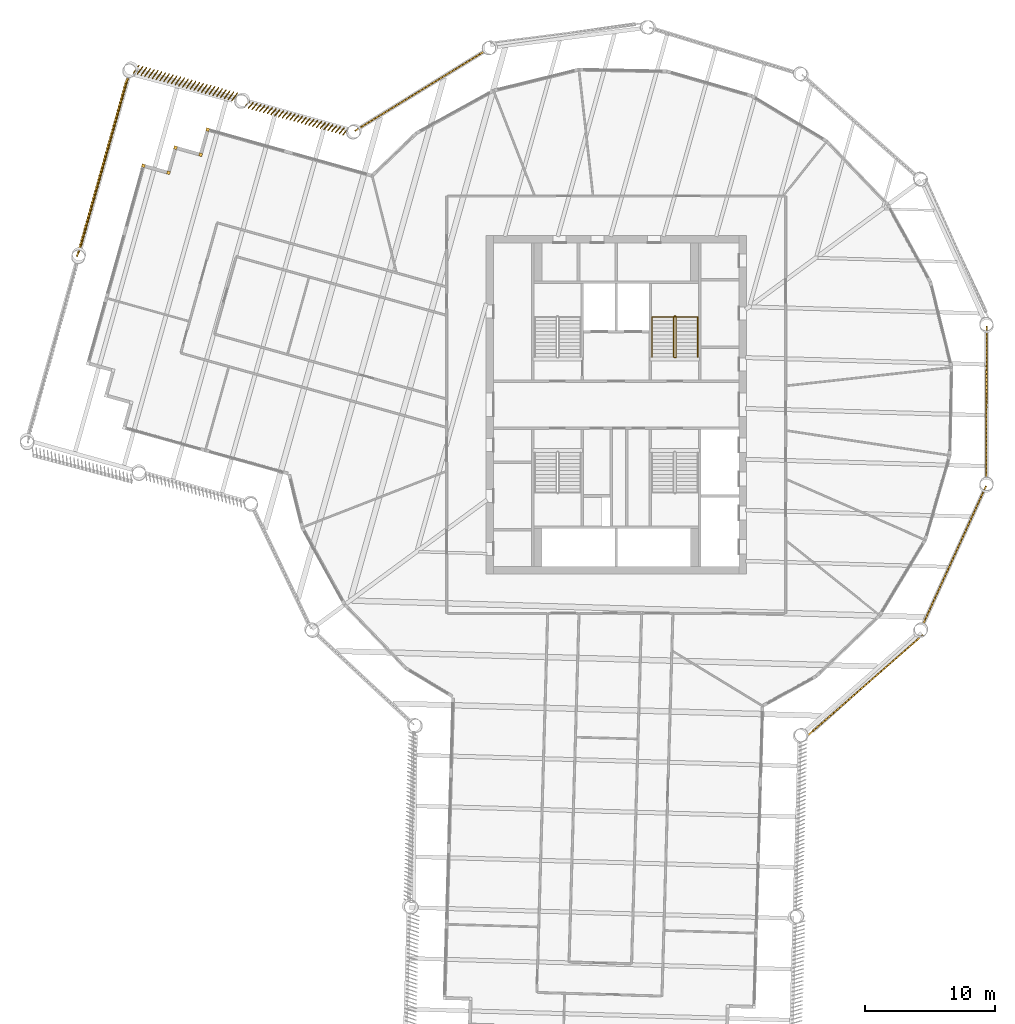
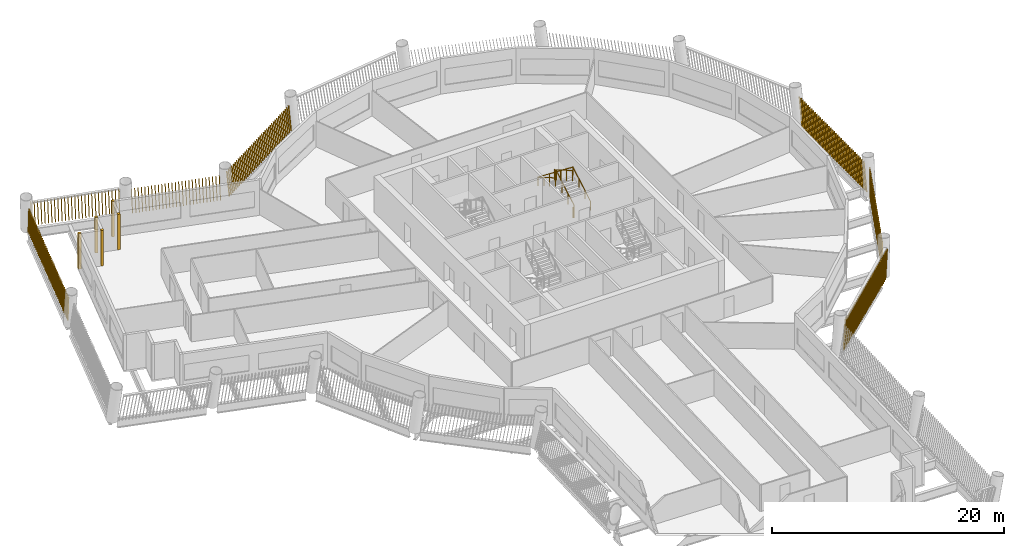
# One storey, part 13 of 15: 12 shading devices, 2 railings.
"""IFC4 building model written with IfcOpenShell, lengths in metres."""

from ifc_helpers import new_model, si_unit, direction, frame, frame_2d, origin, origin_2d, place, context, subcontext, project, spatial, rectangle, circle, composite_profile, extrude, material, type_object, element, save


model = new_model("IFC4")

# Units and contexts
model_context = context("Model", 3, precision=1e-05, world=origin(), true_north=direction((0.0, 1.0)))
body_context = subcontext(model_context, "Body", "Model", "MODEL_VIEW")
ifc_project = project(units=[si_unit("LENGTHUNIT", "METRE"), si_unit("AREAUNIT", "SQUARE_METRE"), si_unit("VOLUMEUNIT", "CUBIC_METRE"), si_unit("PLANEANGLEUNIT", "RADIAN"), si_unit("MASSUNIT", "GRAM", prefix="KILO")], contexts=[model_context])

# Site, building, storey
site_placement = place(None, origin())
site = spatial("IfcSite", under=ifc_project, at=site_placement, CompositionType="ELEMENT")
building_placement = place(site_placement, origin())
building = spatial("IfcBuilding", under=site, at=building_placement, Name="Tarsis Ring Headquarters", CompositionType="ELEMENT")
storey_placement = place(building_placement, frame((0.0, 0.0, 219.89990234375)))
storey = spatial("IfcBuildingStorey", under=building, at=storey_placement, Name="L51", CompositionType="ELEMENT", Elevation=219.89990234375)

# Railings
ifc_material_1 = material(Name="Steel S355", Category="steel")
railing_type_1 = type_object("IfcRailingType", Name="Core stair guard 1100", PredefinedType="GUARDRAIL", material=ifc_material_1)
railing_1_placement = place(storey_placement, frame((4.4599609375, 3.610107421875, 0.0)))
element("IfcRailing", 1, at=railing_1_placement, inside=storey, type_object=railing_type_1, Name="L51 ST2 stair guard 1", PredefinedType="GUARDRAIL", context=body_context, shape_type="SweptSolid", body=[
    extrude(circle(Radius=0.02392578125, at=origin_2d()), frame((0.0, 0.0, 1.076171875), z_axis=(1.0, 0.0, 0.0), x_axis=(0.0, 1.0, 0.0)), (0.0, 0.0, 1.0), 0.080078125),
    extrude(circle(Radius=0.02392578125, at=origin_2d()), frame((0.080078125, 0.0, 1.076171875), z_axis=(0.282336740067, 0.280959487676, 0.917250092119), x_axis=(-0.705375805398, 0.708833529934, 0.0)), (0.0, 0.0, 1.0), 0.17724609375),
    extrude(circle(Radius=0.02392578125, at=origin_2d()), frame((0.130126953125, 0.0498046875, 1.23876953125), z_axis=(0.0, 0.864890721111, 0.501960198159), x_axis=(-1.0, 0.0, 0.0)), (0.0, 0.0, 1.0), 3.561279296875),
    extrude(circle(Radius=0.02392578125, at=origin_2d()), frame((0.130126953125, 3.1298828125, 3.0263671875), z_axis=(-0.707106781187, 0.707106781187, 0.0), x_axis=(-0.707106781187, -0.707106781187, 0.0)), (0.0, 0.0, 1.0), 0.07080078125),
    extrude(circle(Radius=0.02392578125, at=origin_2d()), frame((0.080078125, 3.179931640625, 3.0263671875), z_axis=(-1.0, 0.0, 0.0), x_axis=(0.0, -1.0, 0.0)), (0.0, 0.0, 1.0), 0.080078125),
    extrude(circle(Radius=0.02392578125, at=origin_2d()), frame((0.0, 3.179931640625, 3.0263671875), z_axis=(-0.282583949758, -0.282583949758, 0.916674763849), x_axis=(0.707106781187, -0.707106781187, 0.0)), (0.0, 0.0, 1.0), 0.177001953125),
    extrude(circle(Radius=0.02392578125, at=origin_2d()), frame((-0.050048828125, 3.1298828125, 3.1884765625), z_axis=(0.0, -0.864890721111, 0.501960198159), x_axis=(1.0, 0.0, 0.0)), (0.0, 0.0, 1.0), 3.561279296875),
    extrude(circle(Radius=0.02099609375, at=origin_2d()), origin(), (0.0, 0.0, 1.0), 1.052001953125),
    extrude(circle(Radius=0.02099609375, at=origin_2d()), frame((0.080078125, 0.0, 0.0)), (0.0, 0.0, 1.0), 1.052001953125),
    extrude(circle(Radius=0.02099609375, at=origin_2d()), frame((0.130126953125, 0.0498046875, 0.16259765625)), (0.0, 0.0, 1.0), 1.052001953125),
    extrude(circle(Radius=0.02099609375, at=origin_2d()), frame((0.130126953125, 1.076416015625, 0.758544921875)), (0.0, 0.0, 1.0), 1.052001953125),
    extrude(circle(Radius=0.02099609375, at=origin_2d()), frame((0.130126953125, 2.103271484375, 1.354248046875)), (0.0, 0.0, 1.0), 1.052001953125),
    extrude(circle(Radius=0.02099609375, at=origin_2d()), frame((0.130126953125, 3.1298828125, 1.9501953125)), (0.0, 0.0, 1.0), 1.052001953125),
    extrude(circle(Radius=0.02099609375, at=origin_2d()), frame((0.080078125, 3.179931640625, 1.9501953125)), (0.0, 0.0, 1.0), 1.052001953125),
    extrude(circle(Radius=0.02099609375, at=origin_2d()), frame((0.0, 3.179931640625, 1.9501953125)), (0.0, 0.0, 1.0), 1.052001953125),
    extrude(circle(Radius=0.02099609375, at=origin_2d()), frame((-0.050048828125, 3.1298828125, 2.112548828125)), (0.0, 0.0, 1.0), 1.052001953125),
    extrude(circle(Radius=0.02099609375, at=origin_2d()), frame((-0.050048828125, 2.103271484375, 2.70849609375)), (0.0, 0.0, 1.0), 1.052001953125),
    extrude(circle(Radius=0.02099609375, at=origin_2d()), frame((-0.050048828125, 1.076416015625, 3.30419921875)), (0.0, 0.0, 1.0), 1.052001953125),
    extrude(circle(Radius=0.02099609375, at=origin_2d()), frame((-0.050048828125, 0.0498046875, 3.900146484375)), (0.0, 0.0, 1.0), 1.052001953125),
])
railing_type_2 = type_object("IfcRailingType", Name="Core stair handrail 900", PredefinedType="HANDRAIL", material=ifc_material_1)
railing_2_placement = place(storey_placement, frame((6.25, 3.659912109375, 0.16259765625)))
element("IfcRailing", 2, at=railing_2_placement, inside=storey, type_object=railing_type_2, Name="L51 ST2 stair handrail 1", PredefinedType="HANDRAIL", context=body_context, shape_type="SweptSolid", body=[
    extrude(circle(Radius=0.02392578125, at=origin_2d()), frame((0.0, 0.0, 0.8759765625), z_axis=(0.0, 0.864890721111, 0.501960198159), x_axis=(-1.0, 0.0, 0.0)), (0.0, 0.0, 1.0), 3.561279296875),
    extrude(circle(Radius=0.02392578125, at=origin_2d()), frame((0.0, 3.080078125, 2.66357421875), z_axis=(-0.998925869279, 0.0, 0.04633689335), x_axis=(0.0, -1.0, 0.0)), (0.0, 0.0, 1.0), 3.503662109375),
    extrude(circle(Radius=0.02392578125, at=origin_2d()), frame((-3.5, 3.080078125, 2.82568359375), z_axis=(0.0, -0.864890721111, 0.501960198159), x_axis=(1.0, 0.0, 0.0)), (0.0, 0.0, 1.0), 3.561279296875),
    extrude(circle(Radius=0.02099609375, at=origin_2d()), origin(), (0.0, 0.0, 1.0), 0.851806640625),
    extrude(circle(Radius=0.02099609375, at=origin_2d()), frame((0.0, 1.026611328125, 0.595947265625)), (0.0, 0.0, 1.0), 0.851806640625),
    extrude(circle(Radius=0.02099609375, at=origin_2d()), frame((0.0, 2.053466796875, 1.191650390625)), (0.0, 0.0, 1.0), 0.851806640625),
    extrude(circle(Radius=0.02099609375, at=origin_2d()), frame((0.0, 3.080078125, 1.78759765625)), (0.0, 0.0, 1.0), 0.851806640625),
    extrude(circle(Radius=0.02099609375, at=origin_2d()), frame((-1.166748046875, 3.080078125, 1.841796875)), (0.0, 0.0, 1.0), 0.851806640625),
    extrude(circle(Radius=0.02099609375, at=origin_2d()), frame((-2.333251953125, 3.080078125, 1.895751953125)), (0.0, 0.0, 1.0), 0.851806640625),
    extrude(circle(Radius=0.02099609375, at=origin_2d()), frame((-3.5, 3.080078125, 1.949951171875)), (0.0, 0.0, 1.0), 0.851806640625),
    extrude(circle(Radius=0.02099609375, at=origin_2d()), frame((-3.5, 2.053466796875, 2.5458984375)), (0.0, 0.0, 1.0), 0.851806640625),
    extrude(circle(Radius=0.02099609375, at=origin_2d()), frame((-3.5, 1.026611328125, 3.1416015625)), (0.0, 0.0, 1.0), 0.851806640625),
    extrude(circle(Radius=0.02099609375, at=origin_2d()), frame((-3.5, 0.0, 3.737548828125)), (0.0, 0.0, 1.0), 0.851806640625),
])

# Shading devices
ifc_material_2 = material(Name="Terracotta baguette", Category="masonry")
shading_device_type_1 = type_object("IfcShadingDeviceType", Name="Terracotta baguette screen", PredefinedType="USERDEFINED", material=ifc_material_2)
shading_device_1_placement = place(storey_placement, frame((14.701904296875, -25.362060546875, 0.0), z_axis=(0.0, 0.0, 1.0), x_axis=(0.752859468258, 0.658187737385, 0.0)))
element("IfcShadingDevice", 3, at=shading_device_1_placement, inside=storey, type_object=shading_device_type_1, Name="Baguette screen L51-07", ObjectType="Terracotta baguette screen", PredefinedType="USERDEFINED", context=body_context, shape_type="SweptSolid", body=[
    extrude(composite_profile([rectangle(XDim=0.06005859375, YDim=0.1201171875, at=frame_2d((0.030029296875, 0.0))), rectangle(XDim=0.06005859375, YDim=0.1201171875, at=frame_2d((0.33251953125, 0.0))), rectangle(XDim=0.06005859375, YDim=0.1201171875, at=frame_2d((0.634765625, 0.0))), rectangle(XDim=0.06005859375, YDim=0.1201171875, at=frame_2d((0.937255859375, 0.0))), rectangle(XDim=0.06005859375, YDim=0.1201171875, at=frame_2d((1.239501953125, 0.0))), rectangle(XDim=0.06005859375, YDim=0.1201171875, at=frame_2d((1.5419921875, 0.0))), rectangle(XDim=0.06005859375, YDim=0.1201171875, at=frame_2d((1.844482421875, 0.0))), rectangle(XDim=0.06005859375, YDim=0.1201171875, at=frame_2d((2.146728515625, 0.0))), rectangle(XDim=0.06005859375, YDim=0.1201171875, at=frame_2d((2.44921875, 0.0))), rectangle(XDim=0.06005859375, YDim=0.1201171875, at=frame_2d((2.751708984375, 0.0))), rectangle(XDim=0.06005859375, YDim=0.1201171875, at=frame_2d((3.053955078125, 0.0))), rectangle(XDim=0.06005859375, YDim=0.1201171875, at=frame_2d((3.3564453125, 0.0))), rectangle(XDim=0.06005859375, YDim=0.1201171875, at=frame_2d((3.65869140625, 0.0))), rectangle(XDim=0.06005859375, YDim=0.1201171875, at=frame_2d((3.961181640625, 0.0))), rectangle(XDim=0.06005859375, YDim=0.1201171875, at=frame_2d((4.263671875, 0.0))), rectangle(XDim=0.06005859375, YDim=0.1201171875, at=frame_2d((4.56591796875, 0.0))), rectangle(XDim=0.06005859375, YDim=0.1201171875, at=frame_2d((4.868408203125, 0.0))), rectangle(XDim=0.06005859375, YDim=0.1201171875, at=frame_2d((5.1708984375, 0.0))), rectangle(XDim=0.06005859375, YDim=0.1201171875, at=frame_2d((5.47314453125, 0.0))), rectangle(XDim=0.06005859375, YDim=0.1201171875, at=frame_2d((5.775634765625, 0.0))), rectangle(XDim=0.06005859375, YDim=0.1201171875, at=frame_2d((6.077880859375, 0.0))), rectangle(XDim=0.06005859375, YDim=0.1201171875, at=frame_2d((6.38037109375, 0.0))), rectangle(XDim=0.06005859375, YDim=0.1201171875, at=frame_2d((6.682861328125, 0.0))), rectangle(XDim=0.06005859375, YDim=0.1201171875, at=frame_2d((6.985107421875, 0.0))), rectangle(XDim=0.06005859375, YDim=0.1201171875, at=frame_2d((7.28759765625, 0.0))), rectangle(XDim=0.06005859375, YDim=0.1201171875, at=frame_2d((7.590087890625, 0.0))), rectangle(XDim=0.06005859375, YDim=0.1201171875, at=frame_2d((7.892333984375, 0.0))), rectangle(XDim=0.06005859375, YDim=0.1201171875, at=frame_2d((8.19482421875, 0.0))), rectangle(XDim=0.06005859375, YDim=0.1201171875, at=frame_2d((8.4970703125, 0.0))), rectangle(XDim=0.06005859375, YDim=0.1201171875, at=frame_2d((8.799560546875, 0.0))), rectangle(XDim=0.06005859375, YDim=0.1201171875, at=frame_2d((9.10205078125, 0.0))), rectangle(XDim=0.06005859375, YDim=0.1201171875, at=frame_2d((9.404296875, 0.0))), rectangle(XDim=0.06005859375, YDim=0.1201171875, at=frame_2d((9.706787109375, 0.0))), rectangle(XDim=0.06005859375, YDim=0.1201171875, at=frame_2d((10.00927734375, 0.0))), rectangle(XDim=0.06005859375, YDim=0.1201171875, at=frame_2d((10.3115234375, 0.0))), rectangle(XDim=0.06005859375, YDim=0.1201171875, at=frame_2d((10.614013671875, 0.0))), rectangle(XDim=0.06005859375, YDim=0.1201171875, at=frame_2d((10.916259765625, 0.0))), rectangle(XDim=0.06005859375, YDim=0.1201171875, at=frame_2d((11.21875, 0.0)))]), origin(), (0.161252357391, 0.001350077049, 0.986912283097), 2.9892578125),
])
shading_device_2_placement = place(storey_placement, frame((23.507568359375, -16.891845703125, 0.0), z_axis=(0.0, 0.0, 1.0), x_axis=(0.414628323386, 0.909994574064, 0.0)))
element("IfcShadingDevice", 4, at=shading_device_2_placement, inside=storey, type_object=shading_device_type_1, Name="Baguette screen L51-08", ObjectType="Terracotta baguette screen", PredefinedType="USERDEFINED", context=body_context, shape_type="SweptSolid", body=[
    extrude(composite_profile([rectangle(XDim=0.06005859375, YDim=0.1201171875, at=frame_2d((0.030029296875, 0.0))), rectangle(XDim=0.06005859375, YDim=0.1201171875, at=frame_2d((0.33251953125, 0.0))), rectangle(XDim=0.06005859375, YDim=0.1201171875, at=frame_2d((0.634765625, 0.0))), rectangle(XDim=0.06005859375, YDim=0.1201171875, at=frame_2d((0.937255859375, 0.0))), rectangle(XDim=0.06005859375, YDim=0.1201171875, at=frame_2d((1.239501953125, 0.0))), rectangle(XDim=0.06005859375, YDim=0.1201171875, at=frame_2d((1.5419921875, 0.0))), rectangle(XDim=0.06005859375, YDim=0.1201171875, at=frame_2d((1.844482421875, 0.0))), rectangle(XDim=0.06005859375, YDim=0.1201171875, at=frame_2d((2.146728515625, 0.0))), rectangle(XDim=0.06005859375, YDim=0.1201171875, at=frame_2d((2.44921875, 0.0))), rectangle(XDim=0.06005859375, YDim=0.1201171875, at=frame_2d((2.751708984375, 0.0))), rectangle(XDim=0.06005859375, YDim=0.1201171875, at=frame_2d((3.053955078125, 0.0))), rectangle(XDim=0.06005859375, YDim=0.1201171875, at=frame_2d((3.3564453125, 0.0))), rectangle(XDim=0.06005859375, YDim=0.1201171875, at=frame_2d((3.65869140625, 0.0))), rectangle(XDim=0.06005859375, YDim=0.1201171875, at=frame_2d((3.961181640625, 0.0))), rectangle(XDim=0.06005859375, YDim=0.1201171875, at=frame_2d((4.263671875, 0.0))), rectangle(XDim=0.06005859375, YDim=0.1201171875, at=frame_2d((4.56591796875, 0.0))), rectangle(XDim=0.06005859375, YDim=0.1201171875, at=frame_2d((4.868408203125, 0.0))), rectangle(XDim=0.06005859375, YDim=0.1201171875, at=frame_2d((5.1708984375, 0.0))), rectangle(XDim=0.06005859375, YDim=0.1201171875, at=frame_2d((5.47314453125, 0.0))), rectangle(XDim=0.06005859375, YDim=0.1201171875, at=frame_2d((5.775634765625, 0.0))), rectangle(XDim=0.06005859375, YDim=0.1201171875, at=frame_2d((6.077880859375, 0.0))), rectangle(XDim=0.06005859375, YDim=0.1201171875, at=frame_2d((6.38037109375, 0.0))), rectangle(XDim=0.06005859375, YDim=0.1201171875, at=frame_2d((6.682861328125, 0.0))), rectangle(XDim=0.06005859375, YDim=0.1201171875, at=frame_2d((6.985107421875, 0.0))), rectangle(XDim=0.06005859375, YDim=0.1201171875, at=frame_2d((7.28759765625, 0.0))), rectangle(XDim=0.06005859375, YDim=0.1201171875, at=frame_2d((7.590087890625, 0.0))), rectangle(XDim=0.06005859375, YDim=0.1201171875, at=frame_2d((7.892333984375, 0.0))), rectangle(XDim=0.06005859375, YDim=0.1201171875, at=frame_2d((8.19482421875, 0.0))), rectangle(XDim=0.06005859375, YDim=0.1201171875, at=frame_2d((8.4970703125, 0.0))), rectangle(XDim=0.06005859375, YDim=0.1201171875, at=frame_2d((8.799560546875, 0.0))), rectangle(XDim=0.06005859375, YDim=0.1201171875, at=frame_2d((9.10205078125, 0.0))), rectangle(XDim=0.06005859375, YDim=0.1201171875, at=frame_2d((9.404296875, 0.0))), rectangle(XDim=0.06005859375, YDim=0.1201171875, at=frame_2d((9.706787109375, 0.0))), rectangle(XDim=0.06005859375, YDim=0.1201171875, at=frame_2d((10.00927734375, 0.0))), rectangle(XDim=0.06005859375, YDim=0.1201171875, at=frame_2d((10.3115234375, 0.0))), rectangle(XDim=0.06005859375, YDim=0.1201171875, at=frame_2d((10.614013671875, 0.0))), rectangle(XDim=0.06005859375, YDim=0.1201171875, at=frame_2d((10.916259765625, 0.0))), rectangle(XDim=0.06005859375, YDim=0.1201171875, at=frame_2d((11.21875, 0.0)))]), origin(), (0.159204262536, 0.001332651182, 0.987244765411), 2.98828125),
])
shading_device_3_placement = place(storey_placement, frame((28.38037109375, -5.70068359375, 0.0), z_axis=(0.0, 0.0, 1.0), x_axis=(0.002691264243, 1.0, 0.0)))
element("IfcShadingDevice", 5, at=shading_device_3_placement, inside=storey, type_object=shading_device_type_1, Name="Baguette screen L51-09", ObjectType="Terracotta baguette screen", PredefinedType="USERDEFINED", context=body_context, shape_type="SweptSolid", body=[
    extrude(composite_profile([rectangle(XDim=0.06005859375, YDim=0.1201171875, at=frame_2d((0.030029296875, 0.0))), rectangle(XDim=0.06005859375, YDim=0.1201171875, at=frame_2d((0.33251953125, 0.0))), rectangle(XDim=0.06005859375, YDim=0.1201171875, at=frame_2d((0.634765625, 0.0))), rectangle(XDim=0.06005859375, YDim=0.1201171875, at=frame_2d((0.937255859375, 0.0))), rectangle(XDim=0.06005859375, YDim=0.1201171875, at=frame_2d((1.239501953125, 0.0))), rectangle(XDim=0.06005859375, YDim=0.1201171875, at=frame_2d((1.5419921875, 0.0))), rectangle(XDim=0.06005859375, YDim=0.1201171875, at=frame_2d((1.844482421875, 0.0))), rectangle(XDim=0.06005859375, YDim=0.1201171875, at=frame_2d((2.146728515625, 0.0))), rectangle(XDim=0.06005859375, YDim=0.1201171875, at=frame_2d((2.44921875, 0.0))), rectangle(XDim=0.06005859375, YDim=0.1201171875, at=frame_2d((2.751708984375, 0.0))), rectangle(XDim=0.06005859375, YDim=0.1201171875, at=frame_2d((3.053955078125, 0.0))), rectangle(XDim=0.06005859375, YDim=0.1201171875, at=frame_2d((3.3564453125, 0.0))), rectangle(XDim=0.06005859375, YDim=0.1201171875, at=frame_2d((3.65869140625, 0.0))), rectangle(XDim=0.06005859375, YDim=0.1201171875, at=frame_2d((3.961181640625, 0.0))), rectangle(XDim=0.06005859375, YDim=0.1201171875, at=frame_2d((4.263671875, 0.0))), rectangle(XDim=0.06005859375, YDim=0.1201171875, at=frame_2d((4.56591796875, 0.0))), rectangle(XDim=0.06005859375, YDim=0.1201171875, at=frame_2d((4.868408203125, 0.0))), rectangle(XDim=0.06005859375, YDim=0.1201171875, at=frame_2d((5.1708984375, 0.0))), rectangle(XDim=0.06005859375, YDim=0.1201171875, at=frame_2d((5.47314453125, 0.0))), rectangle(XDim=0.06005859375, YDim=0.1201171875, at=frame_2d((5.775634765625, 0.0))), rectangle(XDim=0.06005859375, YDim=0.1201171875, at=frame_2d((6.077880859375, 0.0))), rectangle(XDim=0.06005859375, YDim=0.1201171875, at=frame_2d((6.38037109375, 0.0))), rectangle(XDim=0.06005859375, YDim=0.1201171875, at=frame_2d((6.682861328125, 0.0))), rectangle(XDim=0.06005859375, YDim=0.1201171875, at=frame_2d((6.985107421875, 0.0))), rectangle(XDim=0.06005859375, YDim=0.1201171875, at=frame_2d((7.28759765625, 0.0))), rectangle(XDim=0.06005859375, YDim=0.1201171875, at=frame_2d((7.590087890625, 0.0))), rectangle(XDim=0.06005859375, YDim=0.1201171875, at=frame_2d((7.892333984375, 0.0))), rectangle(XDim=0.06005859375, YDim=0.1201171875, at=frame_2d((8.19482421875, 0.0))), rectangle(XDim=0.06005859375, YDim=0.1201171875, at=frame_2d((8.4970703125, 0.0))), rectangle(XDim=0.06005859375, YDim=0.1201171875, at=frame_2d((8.799560546875, 0.0))), rectangle(XDim=0.06005859375, YDim=0.1201171875, at=frame_2d((9.10205078125, 0.0))), rectangle(XDim=0.06005859375, YDim=0.1201171875, at=frame_2d((9.404296875, 0.0))), rectangle(XDim=0.06005859375, YDim=0.1201171875, at=frame_2d((9.706787109375, 0.0))), rectangle(XDim=0.06005859375, YDim=0.1201171875, at=frame_2d((10.00927734375, 0.0))), rectangle(XDim=0.06005859375, YDim=0.1201171875, at=frame_2d((10.3115234375, 0.0))), rectangle(XDim=0.06005859375, YDim=0.1201171875, at=frame_2d((10.614013671875, 0.0))), rectangle(XDim=0.06005859375, YDim=0.1201171875, at=frame_2d((10.916259765625, 0.0))), rectangle(XDim=0.06005859375, YDim=0.1201171875, at=frame_2d((11.21875, 0.0)))]), origin(), (0.159204168094, 0.001334998931, 0.987244777469), 2.98828125),
])
shading_device_4_placement = place(storey_placement, frame((-10.06884765625, 27.1396484375, 0.0), z_axis=(0.0, 0.0, 1.0), x_axis=(-0.852092195503, -0.523374424863, 0.0)))
element("IfcShadingDevice", 6, at=shading_device_4_placement, inside=storey, type_object=shading_device_type_1, Name="Baguette screen L51-14", ObjectType="Terracotta baguette screen", PredefinedType="USERDEFINED", context=body_context, shape_type="SweptSolid", body=[
    extrude(composite_profile([rectangle(XDim=0.06005859375, YDim=0.1201171875, at=frame_2d((0.030029296875, 0.0))), rectangle(XDim=0.06005859375, YDim=0.1201171875, at=frame_2d((0.33251953125, 0.0))), rectangle(XDim=0.06005859375, YDim=0.1201171875, at=frame_2d((0.634765625, 0.0))), rectangle(XDim=0.06005859375, YDim=0.1201171875, at=frame_2d((0.937255859375, 0.0))), rectangle(XDim=0.06005859375, YDim=0.1201171875, at=frame_2d((1.239501953125, 0.0))), rectangle(XDim=0.06005859375, YDim=0.1201171875, at=frame_2d((1.5419921875, 0.0))), rectangle(XDim=0.06005859375, YDim=0.1201171875, at=frame_2d((1.844482421875, 0.0))), rectangle(XDim=0.06005859375, YDim=0.1201171875, at=frame_2d((2.146728515625, 0.0))), rectangle(XDim=0.06005859375, YDim=0.1201171875, at=frame_2d((2.44921875, 0.0))), rectangle(XDim=0.06005859375, YDim=0.1201171875, at=frame_2d((2.751708984375, 0.0))), rectangle(XDim=0.06005859375, YDim=0.1201171875, at=frame_2d((3.053955078125, 0.0))), rectangle(XDim=0.06005859375, YDim=0.1201171875, at=frame_2d((3.3564453125, 0.0))), rectangle(XDim=0.06005859375, YDim=0.1201171875, at=frame_2d((3.65869140625, 0.0))), rectangle(XDim=0.06005859375, YDim=0.1201171875, at=frame_2d((3.961181640625, 0.0))), rectangle(XDim=0.06005859375, YDim=0.1201171875, at=frame_2d((4.263671875, 0.0))), rectangle(XDim=0.06005859375, YDim=0.1201171875, at=frame_2d((4.56591796875, 0.0))), rectangle(XDim=0.06005859375, YDim=0.1201171875, at=frame_2d((4.868408203125, 0.0))), rectangle(XDim=0.06005859375, YDim=0.1201171875, at=frame_2d((5.1708984375, 0.0))), rectangle(XDim=0.06005859375, YDim=0.1201171875, at=frame_2d((5.47314453125, 0.0))), rectangle(XDim=0.06005859375, YDim=0.1201171875, at=frame_2d((5.775634765625, 0.0))), rectangle(XDim=0.06005859375, YDim=0.1201171875, at=frame_2d((6.077880859375, 0.0))), rectangle(XDim=0.06005859375, YDim=0.1201171875, at=frame_2d((6.38037109375, 0.0))), rectangle(XDim=0.06005859375, YDim=0.1201171875, at=frame_2d((6.682861328125, 0.0))), rectangle(XDim=0.06005859375, YDim=0.1201171875, at=frame_2d((6.985107421875, 0.0))), rectangle(XDim=0.06005859375, YDim=0.1201171875, at=frame_2d((7.28759765625, 0.0))), rectangle(XDim=0.06005859375, YDim=0.1201171875, at=frame_2d((7.590087890625, 0.0))), rectangle(XDim=0.06005859375, YDim=0.1201171875, at=frame_2d((7.892333984375, 0.0))), rectangle(XDim=0.06005859375, YDim=0.1201171875, at=frame_2d((8.19482421875, 0.0))), rectangle(XDim=0.06005859375, YDim=0.1201171875, at=frame_2d((8.4970703125, 0.0))), rectangle(XDim=0.06005859375, YDim=0.1201171875, at=frame_2d((8.799560546875, 0.0))), rectangle(XDim=0.06005859375, YDim=0.1201171875, at=frame_2d((9.10205078125, 0.0))), rectangle(XDim=0.06005859375, YDim=0.1201171875, at=frame_2d((9.404296875, 0.0))), rectangle(XDim=0.06005859375, YDim=0.1201171875, at=frame_2d((9.706787109375, 0.0))), rectangle(XDim=0.06005859375, YDim=0.1201171875, at=frame_2d((10.00927734375, 0.0))), rectangle(XDim=0.06005859375, YDim=0.1201171875, at=frame_2d((10.3115234375, 0.0))), rectangle(XDim=0.06005859375, YDim=0.1201171875, at=frame_2d((10.614013671875, 0.0))), rectangle(XDim=0.06005859375, YDim=0.1201171875, at=frame_2d((10.916259765625, 0.0))), rectangle(XDim=0.06005859375, YDim=0.1201171875, at=frame_2d((11.21875, 0.0)))]), origin(), (0.159202137203, 0.001332675601, 0.987245108109), 2.98828125),
])
shading_device_5_placement = place(storey_placement, frame((-20.5615234375, 21.12548828125, 0.0), z_axis=(0.0, 0.0, 1.0), x_axis=(-0.962986992925, 0.269595575741, 0.0)))
element("IfcShadingDevice", 7, at=shading_device_5_placement, inside=storey, type_object=shading_device_type_1, Name="Baguette screen L51-15", ObjectType="Terracotta baguette screen", PredefinedType="USERDEFINED", context=body_context, shape_type="SweptSolid", body=[
    extrude(composite_profile([rectangle(XDim=0.06005859375, YDim=0.1201171875, at=frame_2d((0.030029296875, 0.0))), rectangle(XDim=0.06005859375, YDim=0.1201171875, at=frame_2d((0.33154296875, 0.0))), rectangle(XDim=0.06005859375, YDim=0.1201171875, at=frame_2d((0.63330078125, 0.0))), rectangle(XDim=0.06005859375, YDim=0.1201171875, at=frame_2d((0.934814453125, 0.0))), rectangle(XDim=0.06005859375, YDim=0.1201171875, at=frame_2d((1.236572265625, 0.0))), rectangle(XDim=0.06005859375, YDim=0.1201171875, at=frame_2d((1.5380859375, 0.0))), rectangle(XDim=0.06005859375, YDim=0.1201171875, at=frame_2d((1.83984375, 0.0))), rectangle(XDim=0.06005859375, YDim=0.1201171875, at=frame_2d((2.141357421875, 0.0))), rectangle(XDim=0.06005859375, YDim=0.1201171875, at=frame_2d((2.443115234375, 0.0))), rectangle(XDim=0.06005859375, YDim=0.1201171875, at=frame_2d((2.74462890625, 0.0))), rectangle(XDim=0.06005859375, YDim=0.1201171875, at=frame_2d((3.04638671875, 0.0))), rectangle(XDim=0.06005859375, YDim=0.1201171875, at=frame_2d((3.347900390625, 0.0))), rectangle(XDim=0.06005859375, YDim=0.1201171875, at=frame_2d((3.649658203125, 0.0))), rectangle(XDim=0.06005859375, YDim=0.1201171875, at=frame_2d((3.951171875, 0.0))), rectangle(XDim=0.06005859375, YDim=0.1201171875, at=frame_2d((4.252685546875, 0.0))), rectangle(XDim=0.06005859375, YDim=0.1201171875, at=frame_2d((4.554443359375, 0.0))), rectangle(XDim=0.06005859375, YDim=0.1201171875, at=frame_2d((4.85595703125, 0.0))), rectangle(XDim=0.06005859375, YDim=0.1201171875, at=frame_2d((5.15771484375, 0.0))), rectangle(XDim=0.06005859375, YDim=0.1201171875, at=frame_2d((5.459228515625, 0.0))), rectangle(XDim=0.06005859375, YDim=0.1201171875, at=frame_2d((5.760986328125, 0.0))), rectangle(XDim=0.06005859375, YDim=0.1201171875, at=frame_2d((6.0625, 0.0))), rectangle(XDim=0.06005859375, YDim=0.1201171875, at=frame_2d((6.3642578125, 0.0))), rectangle(XDim=0.06005859375, YDim=0.1201171875, at=frame_2d((6.665771484375, 0.0))), rectangle(XDim=0.06005859375, YDim=0.1201171875, at=frame_2d((6.967529296875, 0.0))), rectangle(XDim=0.06005859375, YDim=0.1201171875, at=frame_2d((7.26904296875, 0.0))), rectangle(XDim=0.06005859375, YDim=0.1201171875, at=frame_2d((7.57080078125, 0.0))), rectangle(XDim=0.06005859375, YDim=0.1201171875, at=frame_2d((7.872314453125, 0.0)))]), origin(), (0.08123941038, 0.165069100457, 0.98293049107), 3.00146484375),
])
shading_device_6_placement = place(storey_placement, frame((-29.033203125, 23.886474609375, 0.0), z_axis=(0.0, 0.0, 1.0), x_axis=(-0.962986992925, 0.269595575741, 0.0)))
element("IfcShadingDevice", 8, at=shading_device_6_placement, inside=storey, type_object=shading_device_type_1, Name="Baguette screen L51-16", ObjectType="Terracotta baguette screen", PredefinedType="USERDEFINED", context=body_context, shape_type="SweptSolid", body=[
    extrude(composite_profile([rectangle(XDim=0.06005859375, YDim=0.1201171875, at=frame_2d((0.030029296875, 0.0))), rectangle(XDim=0.06005859375, YDim=0.1201171875, at=frame_2d((0.33154296875, 0.0))), rectangle(XDim=0.06005859375, YDim=0.1201171875, at=frame_2d((0.63330078125, 0.0))), rectangle(XDim=0.06005859375, YDim=0.1201171875, at=frame_2d((0.934814453125, 0.0))), rectangle(XDim=0.06005859375, YDim=0.1201171875, at=frame_2d((1.236572265625, 0.0))), rectangle(XDim=0.06005859375, YDim=0.1201171875, at=frame_2d((1.5380859375, 0.0))), rectangle(XDim=0.06005859375, YDim=0.1201171875, at=frame_2d((1.83984375, 0.0))), rectangle(XDim=0.06005859375, YDim=0.1201171875, at=frame_2d((2.141357421875, 0.0))), rectangle(XDim=0.06005859375, YDim=0.1201171875, at=frame_2d((2.443115234375, 0.0))), rectangle(XDim=0.06005859375, YDim=0.1201171875, at=frame_2d((2.74462890625, 0.0))), rectangle(XDim=0.06005859375, YDim=0.1201171875, at=frame_2d((3.04638671875, 0.0))), rectangle(XDim=0.06005859375, YDim=0.1201171875, at=frame_2d((3.347900390625, 0.0))), rectangle(XDim=0.06005859375, YDim=0.1201171875, at=frame_2d((3.649658203125, 0.0))), rectangle(XDim=0.06005859375, YDim=0.1201171875, at=frame_2d((3.951171875, 0.0))), rectangle(XDim=0.06005859375, YDim=0.1201171875, at=frame_2d((4.252685546875, 0.0))), rectangle(XDim=0.06005859375, YDim=0.1201171875, at=frame_2d((4.554443359375, 0.0))), rectangle(XDim=0.06005859375, YDim=0.1201171875, at=frame_2d((4.85595703125, 0.0))), rectangle(XDim=0.06005859375, YDim=0.1201171875, at=frame_2d((5.15771484375, 0.0))), rectangle(XDim=0.06005859375, YDim=0.1201171875, at=frame_2d((5.459228515625, 0.0))), rectangle(XDim=0.06005859375, YDim=0.1201171875, at=frame_2d((5.760986328125, 0.0))), rectangle(XDim=0.06005859375, YDim=0.1201171875, at=frame_2d((6.0625, 0.0))), rectangle(XDim=0.06005859375, YDim=0.1201171875, at=frame_2d((6.3642578125, 0.0))), rectangle(XDim=0.06005859375, YDim=0.1201171875, at=frame_2d((6.665771484375, 0.0))), rectangle(XDim=0.06005859375, YDim=0.1201171875, at=frame_2d((6.967529296875, 0.0))), rectangle(XDim=0.06005859375, YDim=0.1201171875, at=frame_2d((7.26904296875, 0.0))), rectangle(XDim=0.06005859375, YDim=0.1201171875, at=frame_2d((7.57080078125, 0.0))), rectangle(XDim=0.06005859375, YDim=0.1201171875, at=frame_2d((7.872314453125, 0.0)))]), origin(), (0.082133604954, 0.212752577731, 0.97364799163), 3.030029296875),
])
shading_device_7_placement = place(storey_placement, frame((-37.360107421875, 25.30908203125, 0.0), z_axis=(0.0, 0.0, 1.0), x_axis=(-0.26959752322, -0.962972136223, 0.0)))
element("IfcShadingDevice", 9, at=shading_device_7_placement, inside=storey, type_object=shading_device_type_1, Name="Baguette screen L51-17", ObjectType="Terracotta baguette screen", PredefinedType="USERDEFINED", context=body_context, shape_type="SweptSolid", body=[
    extrude(composite_profile([rectangle(XDim=0.06005859375, YDim=0.1201171875, at=frame_2d((0.030029296875, 0.0))), rectangle(XDim=0.06005859375, YDim=0.1201171875, at=frame_2d((0.33544921875, 0.0))), rectangle(XDim=0.06005859375, YDim=0.1201171875, at=frame_2d((0.640625, 0.0))), rectangle(XDim=0.06005859375, YDim=0.1201171875, at=frame_2d((0.946044921875, 0.0))), rectangle(XDim=0.06005859375, YDim=0.1201171875, at=frame_2d((1.25146484375, 0.0))), rectangle(XDim=0.06005859375, YDim=0.1201171875, at=frame_2d((1.556640625, 0.0))), rectangle(XDim=0.06005859375, YDim=0.1201171875, at=frame_2d((1.862060546875, 0.0))), rectangle(XDim=0.06005859375, YDim=0.1201171875, at=frame_2d((2.16748046875, 0.0))), rectangle(XDim=0.06005859375, YDim=0.1201171875, at=frame_2d((2.47265625, 0.0))), rectangle(XDim=0.06005859375, YDim=0.1201171875, at=frame_2d((2.778076171875, 0.0))), rectangle(XDim=0.06005859375, YDim=0.1201171875, at=frame_2d((3.08349609375, 0.0))), rectangle(XDim=0.06005859375, YDim=0.1201171875, at=frame_2d((3.388671875, 0.0))), rectangle(XDim=0.06005859375, YDim=0.1201171875, at=frame_2d((3.694091796875, 0.0))), rectangle(XDim=0.06005859375, YDim=0.1201171875, at=frame_2d((3.99951171875, 0.0))), rectangle(XDim=0.06005859375, YDim=0.1201171875, at=frame_2d((4.3046875, 0.0))), rectangle(XDim=0.06005859375, YDim=0.1201171875, at=frame_2d((4.610107421875, 0.0))), rectangle(XDim=0.06005859375, YDim=0.1201171875, at=frame_2d((4.91552734375, 0.0))), rectangle(XDim=0.06005859375, YDim=0.1201171875, at=frame_2d((5.220703125, 0.0))), rectangle(XDim=0.06005859375, YDim=0.1201171875, at=frame_2d((5.526123046875, 0.0))), rectangle(XDim=0.06005859375, YDim=0.1201171875, at=frame_2d((5.83154296875, 0.0))), rectangle(XDim=0.06005859375, YDim=0.1201171875, at=frame_2d((6.13671875, 0.0))), rectangle(XDim=0.06005859375, YDim=0.1201171875, at=frame_2d((6.442138671875, 0.0))), rectangle(XDim=0.06005859375, YDim=0.1201171875, at=frame_2d((6.74755859375, 0.0))), rectangle(XDim=0.06005859375, YDim=0.1201171875, at=frame_2d((7.052734375, 0.0))), rectangle(XDim=0.06005859375, YDim=0.1201171875, at=frame_2d((7.358154296875, 0.0))), rectangle(XDim=0.06005859375, YDim=0.1201171875, at=frame_2d((7.66357421875, 0.0))), rectangle(XDim=0.06005859375, YDim=0.1201171875, at=frame_2d((7.96875, 0.0))), rectangle(XDim=0.06005859375, YDim=0.1201171875, at=frame_2d((8.274169921875, 0.0))), rectangle(XDim=0.06005859375, YDim=0.1201171875, at=frame_2d((8.57958984375, 0.0))), rectangle(XDim=0.06005859375, YDim=0.1201171875, at=frame_2d((8.884765625, 0.0))), rectangle(XDim=0.06005859375, YDim=0.1201171875, at=frame_2d((9.190185546875, 0.0))), rectangle(XDim=0.06005859375, YDim=0.1201171875, at=frame_2d((9.49560546875, 0.0))), rectangle(XDim=0.06005859375, YDim=0.1201171875, at=frame_2d((9.80078125, 0.0))), rectangle(XDim=0.06005859375, YDim=0.1201171875, at=frame_2d((10.106201171875, 0.0))), rectangle(XDim=0.06005859375, YDim=0.1201171875, at=frame_2d((10.41162109375, 0.0))), rectangle(XDim=0.06005859375, YDim=0.1201171875, at=frame_2d((10.716796875, 0.0))), rectangle(XDim=0.06005859375, YDim=0.1201171875, at=frame_2d((11.022216796875, 0.0))), rectangle(XDim=0.06005859375, YDim=0.1201171875, at=frame_2d((11.32763671875, 0.0))), rectangle(XDim=0.06005859375, YDim=0.1201171875, at=frame_2d((11.6328125, 0.0))), rectangle(XDim=0.06005859375, YDim=0.1201171875, at=frame_2d((11.938232421875, 0.0))), rectangle(XDim=0.06005859375, YDim=0.1201171875, at=frame_2d((12.24365234375, 0.0))), rectangle(XDim=0.06005859375, YDim=0.1201171875, at=frame_2d((12.548828125, 0.0))), rectangle(XDim=0.06005859375, YDim=0.1201171875, at=frame_2d((12.854248046875, 0.0))), rectangle(XDim=0.06005859375, YDim=0.1201171875, at=frame_2d((13.15966796875, 0.0))), rectangle(XDim=0.06005859375, YDim=0.1201171875, at=frame_2d((13.46484375, 0.0))), rectangle(XDim=0.06005859375, YDim=0.1201171875, at=frame_2d((13.770263671875, 0.0)))]), origin(), (0.236332450972, -0.03882352862, 0.970896341657), 3.03857421875),
])
shading_device_type_2 = type_object("IfcShadingDeviceType", Name="Terracotta corner baguette 250x250", PredefinedType="USERDEFINED", material=ifc_material_2)
for number, where, z_axis, x_axis, name in (
    (10, (-31.34521484375, 21.10693359375, 0.0), (0.0, 0.0, 1.0), (-0.962974600055, 0.269592135733, 0.0), "Corner baguette L51-32"),
    (11, (-31.884521484375, 19.180908203125, 0.0), (0.0, 0.0, 1.0), (-0.269592505489, -0.962974496539, 0.0), "Corner baguette L51-33"),
    (12, (-33.810546875, 19.72021484375, 0.0), (0.0, 0.0, 1.0), (-0.962974628286, 0.269592034891, 0.0), "Corner baguette L51-34"),
    (13, (-34.349609375, 17.794189453125, 0.0), (0.0, 0.0, 1.0), (-0.269592034891, -0.962974628286, 0.0), "Corner baguette L51-35"),
    (14, (-36.275634765625, 18.33349609375, 0.0), (0.0, 0.0, 1.0), (-0.962974496539, 0.269592505489, 0.0), "Corner baguette L51-36"),
):
    element("IfcShadingDevice", number, at=place(storey_placement, frame(where, z_axis=z_axis, x_axis=x_axis)), inside=storey, type_object=shading_device_type_2, Name=name, ObjectType="Terracotta corner baguette", PredefinedType="USERDEFINED", context=body_context, shape_type="SweptSolid", body=[
        extrude(rectangle(XDim=0.25, YDim=0.25, at=origin_2d()), origin(), (0.0, 0.0, 1.0), 3.739990234375),
    ])

save(model, "model.ifc")
